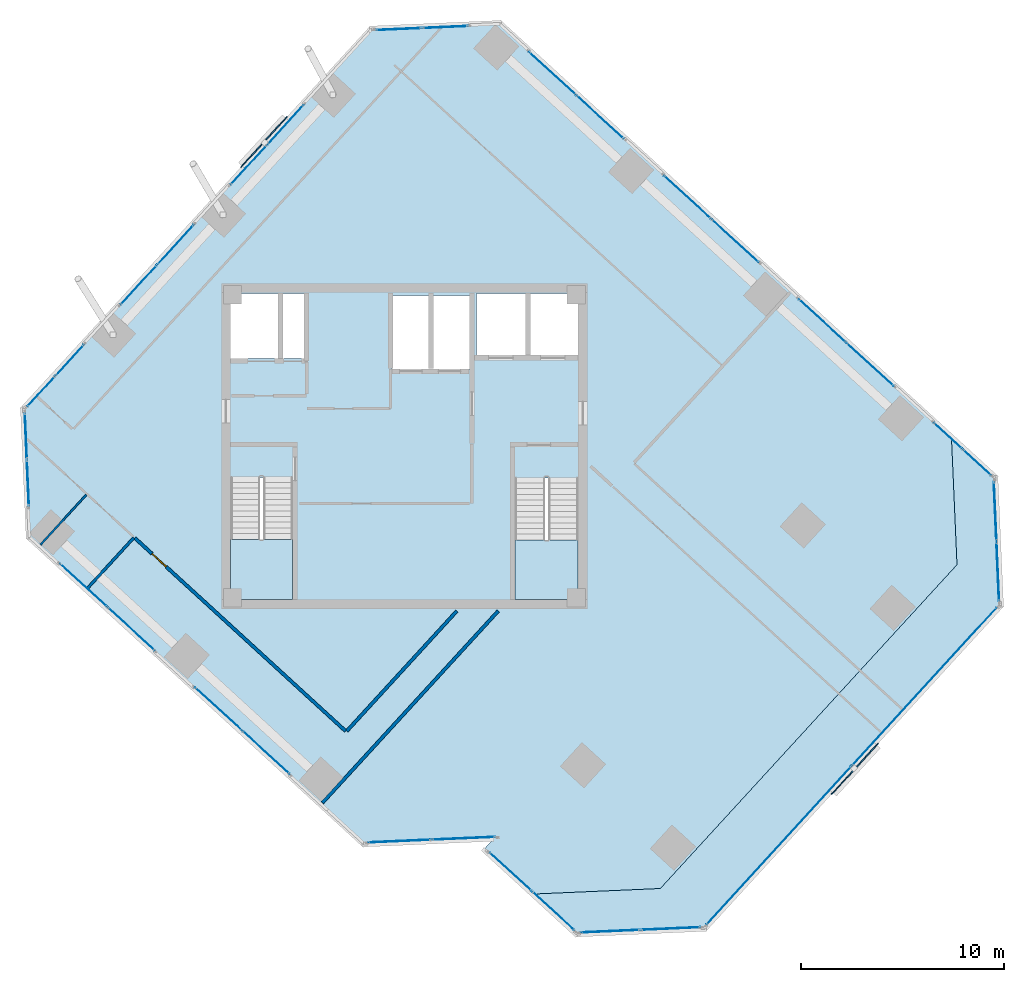
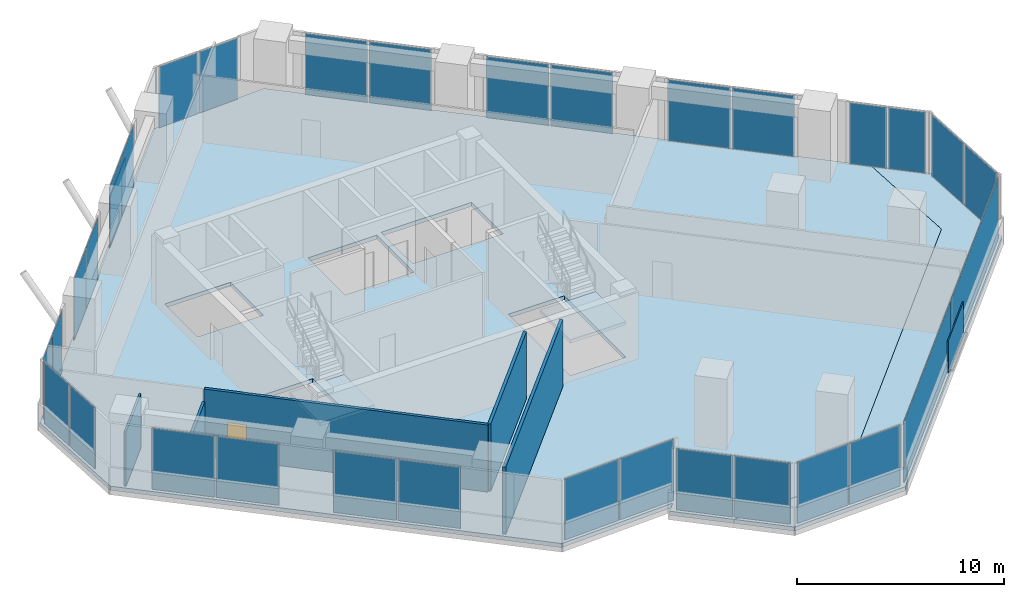
# One storey, part 12 of 18: 34 plates, 5 walls, 4 slabs, 1 door, 1 opening, 18 elements without a shape of their own.
"""IFC4 building model written with IfcOpenShell, lengths in metres."""

import ifcopenshell
import ifcopenshell.guid

model = None  # the IFC model being written
_history = None  # IfcOwnerHistory: only IFC2X3 demands one
_inside = {}  # id of a spatial element -> (the spatial element, [elements in it])
_under = {}  # id of a project, library or spatial element -> (it, [spatial elements below it])
_declared = {}  # id of a project -> (the project, [libraries it declares])
_typed = {}  # id of a type object -> (the type object, [elements of that type])
_made_of = {}  # id of a material, layer set ... -> (it, [elements and type objects made of it])


def new_model(schema):
    """Start an empty IFC model of exactly this schema.

    Asked for "IFC4X3", IfcOpenShell would pick the latest addendum, in which some entities
    have other attributes; the version numbers below select the first issue.
    IFC2X3 requires an IfcOwnerHistory on every rooted entity: one is made here for all.
    """
    global model, _history
    if schema == "IFC4X3":
        model = ifcopenshell.file(schema_version=(4, 3, 0, 0))
    else:
        model = ifcopenshell.file(schema=schema)
    _inside.clear()
    _under.clear()
    _declared.clear()
    _typed.clear()
    _made_of.clear()
    _history = None
    if model.schema == "IFC2X3":
        org = make("IfcOrganization", Name="unknown")
        user = make(
            "IfcPersonAndOrganization",
            ThePerson=make("IfcPerson", FamilyName="unknown"),
            TheOrganization=org,
        )
        app = make(
            "IfcApplication",
            ApplicationDeveloper=org,
            Version="unknown",
            ApplicationFullName="unknown",
            ApplicationIdentifier="unknown",
        )
        _history = make(
            "IfcOwnerHistory",
            OwningUser=user,
            OwningApplication=app,
            ChangeAction="ADDED",
            CreationDate=0,
        )
    return model


def make(cls, **values):
    """One entity of the class cls with the attributes given. An attribute that is None is left unset."""
    return model.create_entity(
        cls, **{name: value for name, value in values.items() if value is not None}
    )


def rooted(cls, **values):
    """An entity with a GlobalId (a new one), such as an element, a storey or a relation."""
    return make(cls, GlobalId=ifcopenshell.guid.new(), OwnerHistory=_history, **values)


def si_unit(unit_type, name, prefix=None):
    """IfcSIUnit, for example si_unit("LENGTHUNIT", "METRE", prefix="MILLI")."""
    return make("IfcSIUnit", UnitType=unit_type, Prefix=prefix, Name=name)


def assignment(units):
    """IfcUnitAssignment: the units of a project."""
    return None if units is None else make("IfcUnitAssignment", Units=units)


def point(xyz):
    """IfcCartesianPoint."""
    return None if xyz is None else make("IfcCartesianPoint", Coordinates=xyz)


def direction(xyz):
    """IfcDirection."""
    return None if xyz is None else make("IfcDirection", DirectionRatios=xyz)


def frame(location, z_axis=None, x_axis=None):
    """IfcAxis2Placement3D, a coordinate frame: its origin and axes. An axis left out is left unset."""
    return make(
        "IfcAxis2Placement3D",
        Location=point(location),
        Axis=direction(z_axis),
        RefDirection=direction(x_axis),
    )


def frame_2d(location, x_axis=None):
    """IfcAxis2Placement2D, a coordinate frame in the plane: its origin and x axis."""
    return make(
        "IfcAxis2Placement2D", Location=point(location), RefDirection=direction(x_axis)
    )


def origin():
    """The frame at (0, 0, 0) with its axes left unset."""
    return frame((0.0, 0.0, 0.0))


def origin_2d():
    """The frame at (0, 0) in the plane with its x axis left unset."""
    return frame_2d((0.0, 0.0))


def place(relative_to, where):
    """IfcLocalPlacement: puts the frame where relative to a parent placement (None: the world)."""
    return make(
        "IfcLocalPlacement", PlacementRelTo=relative_to, RelativePlacement=where
    )


def context(
    kind, dimensions, precision=None, world=None, true_north=None, identifier=None
):
    """IfcGeometricRepresentationContext, for example the 3D "Model" context."""
    return make(
        "IfcGeometricRepresentationContext",
        ContextIdentifier=identifier,
        ContextType=kind,
        CoordinateSpaceDimension=dimensions,
        Precision=precision,
        WorldCoordinateSystem=world,
        TrueNorth=true_north,
    )


def subcontext(parent, identifier, kind, view, scale=None):
    """IfcGeometricRepresentationSubContext, for example "Body" below "Model"."""
    return make(
        "IfcGeometricRepresentationSubContext",
        ContextIdentifier=identifier,
        ContextType=kind,
        ParentContext=parent,
        TargetScale=scale,
        TargetView=view,
    )


def project(units=None, contexts=None):
    """IfcProject with its units and contexts."""
    return rooted(
        "IfcProject",
        Name="project",
        RepresentationContexts=contexts,
        UnitsInContext=assignment(units),
    )


def spatial(cls, under=None, at=None, **own):
    """A site, building, storey or space (cls), placed at a placement, below another one or the project."""
    s = rooted(cls, ObjectPlacement=at, **own)
    if under is not None:
        _under.setdefault(under.id(), (under, []))[1].append(s)
    return s


def polyline(points):
    """IfcPolyline through the points."""
    return make("IfcPolyline", Points=[point(p) for p in points])


def profile(cls, at=None, kind="AREA", **sizes):
    """A parametric profile (cls). Its sizes go by their IFC names, for example OverallWidth=200.0."""
    return make(cls, ProfileType=kind, Position=at, **sizes)


def rectangle(**sizes):
    """IfcRectangleProfileDef."""
    return profile("IfcRectangleProfileDef", **sizes)


def outline(outer, holes=None, kind="AREA"):
    """IfcArbitraryClosedProfileDef: a profile drawn as a closed curve; with holes, ...WithVoids."""
    if holes is None:
        return make("IfcArbitraryClosedProfileDef", ProfileType=kind, OuterCurve=outer)
    return make(
        "IfcArbitraryProfileDefWithVoids",
        ProfileType=kind,
        OuterCurve=outer,
        InnerCurves=holes,
    )


def extrude(swept, where, along, depth):
    """IfcExtrudedAreaSolid: the profile swept, set in the frame where, extruded along a direction by depth."""
    return make(
        "IfcExtrudedAreaSolid",
        SweptArea=swept,
        Position=where,
        ExtrudedDirection=direction(along),
        Depth=depth,
    )


def shape(context_of_items, identifier, shape_type, items):
    """IfcShapeRepresentation: the items that make up one representation, for example the "Body"."""
    return make(
        "IfcShapeRepresentation",
        ContextOfItems=context_of_items,
        RepresentationIdentifier=identifier,
        RepresentationType=shape_type,
        Items=items,
    )


def source(mapping_origin, context_of_items, identifier, shape_type, items):
    """IfcRepresentationMap: a shape defined once, which mapped items show again and again."""
    return make(
        "IfcRepresentationMap",
        MappingOrigin=mapping_origin,
        MappedRepresentation=shape(context_of_items, identifier, shape_type, items),
    )


def transform(
    local_origin,
    x_axis=None,
    y_axis=None,
    z_axis=None,
    scale=None,
    scale2=None,
    scale3=None,
    uniform=True,
):
    """IfcCartesianTransformationOperator3D, or its non-uniform kind. x_axis, y_axis, z_axis: its Axis1, 2, 3."""
    if uniform:
        return make(
            "IfcCartesianTransformationOperator3D",
            Axis1=direction(x_axis),
            Axis2=direction(y_axis),
            LocalOrigin=point(local_origin),
            Scale=scale,
            Axis3=direction(z_axis),
        )
    return make(
        "IfcCartesianTransformationOperator3DnonUniform",
        Axis1=direction(x_axis),
        Axis2=direction(y_axis),
        LocalOrigin=point(local_origin),
        Scale=scale,
        Axis3=direction(z_axis),
        Scale2=scale2,
        Scale3=scale3,
    )


def mapped(mapping_source, mapping_target):
    """IfcMappedItem: shows the shape of a source again, moved by a transform."""
    return make(
        "IfcMappedItem", MappingSource=mapping_source, MappingTarget=mapping_target
    )


def material(Name=None, Category=None):
    """IfcMaterial."""
    return make("IfcMaterial", Name=Name, Category=Category)


def layer(
    of_material, thickness, ventilated=None, Name=None, Category=None, Priority=None
):
    """IfcMaterialLayer: one layer of a wall or slab, of a material (None: an air gap)."""
    return make(
        "IfcMaterialLayer",
        Material=of_material,
        LayerThickness=thickness,
        IsVentilated=ventilated,
        Name=Name,
        Category=Category,
        Priority=Priority,
    )


def layer_set(layers, Name=None):
    """IfcMaterialLayerSet."""
    return make("IfcMaterialLayerSet", MaterialLayers=layers, LayerSetName=Name)


def made_of(thing, what):
    """Note that an element or type object is made of a material, layer set ...; save() writes the relation."""
    if what is not None:
        _made_of.setdefault(what.id(), (what, []))[1].append(thing)
    return thing


def type_object(cls, material=None, **own):
    """A type object (cls), such as IfcWallType, which elements share."""
    return made_of(rooted(cls, **own), material)


def element(
    cls,
    number,
    at=None,
    inside=None,
    cuts=None,
    type_object=None,
    material=None,
    context=None,
    identifier="Body",
    shape_type=None,
    held_by="IfcProductDefinitionShape",
    body=None,
    shapes=None,
    **own,
):
    """One element of the class cls, such as IfcWall. Its Tag is "e" and its number.

    at: its placement. inside: the storey or other place that contains it. cuts: it is an
    opening in that element (IfcRelVoidsElement). A single representation is given by context,
    identifier, shape_type and body (its items); several are given by shapes. held_by: the class
    of the entity that holds the representations. save() writes the other relations.
    """
    e = rooted(cls, Tag="e%d" % number, ObjectPlacement=at, **own)
    if body is not None:
        shapes = [shape(context, identifier, shape_type, body)]
    if shapes is not None:
        e.Representation = make(held_by, Representations=shapes)
    if inside is not None:
        _inside.setdefault(inside.id(), (inside, []))[1].append(e)
    if cuts is not None:
        rooted(
            "IfcRelVoidsElement", RelatingBuildingElement=cuts, RelatedOpeningElement=e
        )
    if type_object is not None:
        _typed.setdefault(type_object.id(), (type_object, []))[1].append(e)
    return made_of(e, material)


def fill(opening, filler):
    """IfcRelFillsElement: the door or window that sits in an opening."""
    return rooted(
        "IfcRelFillsElement",
        RelatingOpeningElement=opening,
        RelatedBuildingElement=filler,
    )


def aggregate(whole, parts):
    """IfcRelAggregates: a whole, such as a stair, and the parts it consists of."""
    return rooted("IfcRelAggregates", RelatingObject=whole, RelatedObjects=parts)


def save(model, path):
    """Write the relations noted so far, then the file.

    IfcRelAggregates (storeys below a building ...), IfcRelContainedInSpatialStructure (elements
    in a storey), IfcRelDefinesByType, IfcRelAssociatesMaterial and IfcRelDeclares: one each for
    every whole, place, type object, material and project.
    """
    for whole, parts in _under.values():
        aggregate(whole, parts)
    for where, things in _inside.values():
        rooted(
            "IfcRelContainedInSpatialStructure",
            RelatedElements=things,
            RelatingStructure=where,
        )
    for kind, things in _typed.values():
        rooted("IfcRelDefinesByType", RelatedObjects=things, RelatingType=kind)
    for what, things in _made_of.values():
        rooted("IfcRelAssociatesMaterial", RelatedObjects=things, RelatingMaterial=what)
    for by, libraries in _declared.values():
        rooted("IfcRelDeclares", RelatingContext=by, RelatedDefinitions=libraries)
    model.write(path)


model = new_model("IFC4")

# Units and contexts
model_context = context("Model", 3, precision=1e-05, world=origin(), true_north=direction((0.0, 1.0)))
body_context = subcontext(model_context, "Body", "Model", "MODEL_VIEW")
ifc_project = project(units=[si_unit("LENGTHUNIT", "METRE"), si_unit("AREAUNIT", "SQUARE_METRE"), si_unit("VOLUMEUNIT", "CUBIC_METRE"), si_unit("PLANEANGLEUNIT", "RADIAN"), si_unit("MASSUNIT", "GRAM", prefix="KILO")], contexts=[model_context])

# Site, building, storey
site_placement = place(None, origin())
site = spatial("IfcSite", under=ifc_project, at=site_placement, CompositionType="ELEMENT")
building_placement = place(site_placement, origin())
building = spatial("IfcBuilding", under=site, at=building_placement, Name="Torre Montelarca", CompositionType="ELEMENT")
storey_placement = place(building_placement, frame((0.0, 0.0, 237.39990234375)))
storey = spatial("IfcBuildingStorey", under=building, at=storey_placement, Name="L53", CompositionType="ELEMENT", Elevation=237.39990234375)

# Slabs
ifc_material_1 = material(Name="Concrete C40/50", Category="concrete")
ifc_layer_1 = layer(ifc_material_1, 0.239990234375, Name="Concrete C40/50", Category="concrete")
ifc_layer_set_1 = layer_set([ifc_layer_1], Name="Concrete C40/50")
slab_type_1 = type_object("IfcSlabType", Name="SL-FLR-240", PredefinedType="FLOOR", material=ifc_layer_set_1)
slab_1_placement = place(storey_placement, frame((0.0, 0.0, -0.239990234375)))
element("IfcSlab", 1, at=slab_1_placement, inside=storey, type_object=slab_type_1, Name="L53 Structural Floor Slab", PredefinedType="FLOOR", context=body_context, shape_type="SweptSolid", body=[
    extrude(outline(polyline([(15.9873046875, 12.3662109375), (22.34521484375, 12.643798828125), (21.872314453125, 12.127685546875), (24.2314453125, 9.9658203125), (30.58935546875, 10.243408203125), (45.18212890625, 26.16845703125), (44.904541015625, 32.5263671875), (22.71240234375, 52.86181640625), (16.3544921875, 52.583984375), (-0.805419921875, 33.857177734375), (-0.52783203125, 27.499267578125), (15.9873046875, 12.3662109375)]), holes=[polyline([(26.550048828125, 24.449951171875), (23.43994140625, 24.449951171875), (23.43994140625, 30.429931640625), (26.550048828125, 30.429931640625), (26.550048828125, 24.449951171875)]), polyline([(12.5, 24.449951171875), (9.449951171875, 24.449951171875), (9.449951171875, 30.4599609375), (12.5, 30.4599609375), (12.5, 24.449951171875)]), polyline([(21.25, 39.39990234375), (21.25, 35.800048828125), (17.39990234375, 35.800048828125), (17.39990234375, 39.39990234375), (21.25, 39.39990234375)]), polyline([(13.1201171875, 36.300048828125), (9.449951171875, 36.300048828125), (9.449951171875, 39.5), (13.1201171875, 39.5), (13.1201171875, 36.300048828125)]), polyline([(26.60009765625, 36.449951171875), (21.550048828125, 36.449951171875), (21.550048828125, 39.5), (26.60009765625, 39.5), (26.60009765625, 36.449951171875)])]), origin(), (0.0, 0.0, 1.0), 0.239990234375),
])
slab_2_placement = place(storey_placement, frame((0.0, 0.0, -0.239990234375)))
element("IfcSlab", 2, at=slab_2_placement, inside=storey, type_object=slab_type_1, Name="L53 Sliding Tray Winter Garden Floor Slab E1", PredefinedType="FLOOR", context=body_context, shape_type="SweptSolid", body=[
    extrude(outline(polyline([(44.904541015625, 32.5263671875), (45.18212890625, 26.16845703125), (30.58935546875, 10.243408203125), (24.2314453125, 9.9658203125), (26.443359375, 7.93896484375), (32.80126953125, 8.216552734375), (47.39404296875, 24.1416015625), (47.116455078125, 30.49951171875), (44.904541015625, 32.5263671875)])), origin(), (0.0, 0.0, 1.0), 0.239990234375),
])

# Stair, slab
stair_type_1 = type_object("IfcStairType", Name="ST-CORE-ST1", PredefinedType="HALF_TURN_STAIR", material=ifc_material_1)
stair_1_placement = place(storey_placement, origin())
stair_1 = element("IfcStair", 3, at=stair_1_placement, inside=storey, type_object=stair_type_1, Name="L53 Protected Exit Stair ST1", PredefinedType="HALF_TURN_STAIR")
ifc_layer_2 = layer(ifc_material_1, 0.199951171875, Name="Concrete C40/50", Category="concrete")
ifc_layer_set_2 = layer_set([ifc_layer_2], Name="Concrete C40/50")
slab_type_2 = type_object("IfcSlabType", Name="SL-ST-LAND-ST1", PredefinedType="LANDING", material=ifc_layer_set_2)
slab_3_placement = place(storey_placement, frame((0.0, 0.0, 1.900146484375)))
slab_3 = element("IfcSlab", 4, at=slab_3_placement, type_object=slab_type_2, Name="ST1 landing 1", PredefinedType="LANDING", context=body_context, shape_type="SweptSolid", body=[
    extrude(outline(polyline([(9.449951171875, 27.419921875), (9.449951171875, 24.449951171875), (12.5, 24.449951171875), (12.5, 27.419921875), (9.449951171875, 27.419921875)])), origin(), (0.0, 0.0, 1.0), 0.199951171875),
])
aggregate(stair_1, [slab_3])

stair_type_2 = type_object("IfcStairType", Name="ST-CORE-ST2", PredefinedType="HALF_TURN_STAIR", material=ifc_material_1)
stair_2_placement = place(storey_placement, origin())
stair_2 = element("IfcStair", 5, at=stair_2_placement, inside=storey, type_object=stair_type_2, Name="L53 Protected Exit Stair ST2", PredefinedType="HALF_TURN_STAIR")
ifc_layer_3 = layer(ifc_material_1, 0.199951171875, Name="Concrete C40/50", Category="concrete")
ifc_layer_set_3 = layer_set([ifc_layer_3], Name="Concrete C40/50")
slab_type_3 = type_object("IfcSlabType", Name="SL-ST-LAND-ST2", PredefinedType="LANDING", material=ifc_layer_set_3)
slab_4_placement = place(storey_placement, frame((0.0, 0.0, 1.900146484375)))
slab_4 = element("IfcSlab", 6, at=slab_4_placement, type_object=slab_type_3, Name="ST2 landing 1", PredefinedType="LANDING", context=body_context, shape_type="SweptSolid", body=[
    extrude(outline(polyline([(23.43994140625, 27.389892578125), (23.43994140625, 24.449951171875), (26.550048828125, 24.449951171875), (26.550048828125, 27.389892578125), (23.43994140625, 27.389892578125)])), origin(), (0.0, 0.0, 1.0), 0.199951171875),
])
aggregate(stair_2, [slab_4])

# Plates
ifc_material_2 = material(Name="Architectural perforated terracotta ceramic", Category="masonry")
ifc_layer_4 = layer(ifc_material_2, 0.074951171875, Name="Architectural perforated terracotta ceramic", Category="masonry")
ifc_layer_set_4 = layer_set([ifc_layer_4], Name="Architectural perforated terracotta ceramic")
plate_type_1 = type_object("IfcPlateType", Name="SCR-CER-75", PredefinedType="USERDEFINED", material=ifc_layer_set_4)
shared_shape_1 = source(origin(), body_context, "Body", "SweptSolid", [
    extrude(rectangle(XDim=3.39990234375, YDim=0.06005859375, at=origin_2d()), origin(), (0.0, 0.0, 1.0), 1.89990234375),
])
for number, where, z_axis, x_axis, name in (
    (7, (40.156494140625, 16.125, 0.500244140625), (0.0, 0.0, 1.0), (0.675594067982, 0.737273799418, 0.0), "L53 Perforated Ceramic Brise-Soleil Screen E6-1"),
    (8, (11.093505859375, 46.961181640625, 0.500244140625), (0.0, 0.0, 1.0), (-0.675588920823, -0.737278515936, 0.0), "L53 Perforated Ceramic Brise-Soleil Screen E10-1"),
):
    element("IfcPlate", number, at=place(storey_placement, frame(where, z_axis=z_axis, x_axis=x_axis)), inside=storey, type_object=plate_type_1, Name=name, ObjectType="SOLAR SCREEN", PredefinedType="USERDEFINED", context=body_context, shape_type="MappedRepresentation", body=[
        mapped(shared_shape_1, transform((0.0, 0.0, 0.0), scale=1.0)),
    ])

# Curtain wall, plates
ifc_material_3 = material(Name="Insulated low-E laminated glass", Category="glass")
curtain_wall_type = type_object("IfcCurtainWallType", Name="CW-SYS-Z3", PredefinedType="USERDEFINED", material=ifc_material_3)
curtain_wall_1_placement = place(storey_placement, origin())
curtain_wall_1 = element("IfcCurtainWall", 9, at=curtain_wall_1_placement, inside=storey, type_object=curtain_wall_type, Name="L53 Curtain Wall Run CW-T3-L53-E02-B1", ObjectType="UNITISED GLAZING", PredefinedType="USERDEFINED")
ifc_layer_5 = layer(ifc_material_3, 0.031982421875, Name="Insulated low-E laminated glass", Category="glass")
ifc_layer_set_5 = layer_set([ifc_layer_5], Name="Insulated low-E laminated glass")
plate_type_2 = type_object("IfcPlateType", Name="CWP-GLZ-32", PredefinedType="CURTAIN_PANEL", material=ifc_layer_set_5)
shared_shape_2 = source(origin(), body_context, "Body", "SweptSolid", [
    extrude(rectangle(XDim=3.08740234375, YDim=0.031982421875, at=origin_2d()), origin(), (0.0, 0.0, 1.0), 3.610107421875),
])
plate_1_placement = place(storey_placement, frame((17.764404296875, 12.57373046875, 0.05517578125), z_axis=(0.0, 0.0, 1.0), x_axis=(0.999047974417, 0.043625048009, 0.0)))
plate_1 = element("IfcPlate", 10, at=plate_1_placement, type_object=plate_type_2, Name="CW panel 1.1", PredefinedType="CURTAIN_PANEL", context=body_context, shape_type="MappedRepresentation", body=[
    mapped(shared_shape_2, transform((0.0, 0.0, 0.0), scale=1.0)),
])
plate_2_placement = place(storey_placement, frame((20.923828125, 12.711669921875, 0.05517578125), z_axis=(0.0, 0.0, 1.0), x_axis=(0.999047974417, 0.043625048009, 0.0)))
plate_2 = element("IfcPlate", 11, at=plate_2_placement, type_object=plate_type_2, Name="CW panel 2.1", PredefinedType="CURTAIN_PANEL", context=body_context, shape_type="MappedRepresentation", body=[
    mapped(shared_shape_2, transform((0.0, 0.0, 0.0), scale=1.0)),
])
aggregate(curtain_wall_1, [plate_1, plate_2])

curtain_wall_2_placement = place(storey_placement, origin())
curtain_wall_2 = element("IfcCurtainWall", 12, at=curtain_wall_2_placement, inside=storey, type_object=curtain_wall_type, Name="L53 Curtain Wall Run CW-T3-L53-E05-B1", ObjectType="UNITISED GLAZING", PredefinedType="USERDEFINED")
shared_shape_3 = source(origin(), body_context, "Body", "SweptSolid", [
    extrude(rectangle(XDim=2.903564453125, YDim=0.031982421875, at=origin_2d()), origin(), (0.0, 0.0, 1.0), 3.610107421875),
])
plate_3_placement = place(storey_placement, frame((28.128662109375, 8.142578125, 0.05517578125), z_axis=(0.0, 0.0, 1.0), x_axis=(0.999048385364, 0.043615635968, 0.0)))
plate_3 = element("IfcPlate", 13, at=plate_3_placement, type_object=plate_type_2, Name="CW panel 1.1", PredefinedType="CURTAIN_PANEL", context=body_context, shape_type="MappedRepresentation", body=[
    mapped(shared_shape_3, transform((0.0, 0.0, 0.0), scale=1.0)),
])
plate_4_placement = place(storey_placement, frame((31.1044921875, 8.272705078125, 0.05517578125), z_axis=(0.0, 0.0, 1.0), x_axis=(0.999048385364, 0.043615635968, 0.0)))
plate_4 = element("IfcPlate", 14, at=plate_4_placement, type_object=plate_type_2, Name="CW panel 2.1", PredefinedType="CURTAIN_PANEL", context=body_context, shape_type="MappedRepresentation", body=[
    mapped(shared_shape_3, transform((0.0, 0.0, 0.0), scale=1.0)),
])
aggregate(curtain_wall_2, [plate_3, plate_4])

curtain_wall_3_placement = place(storey_placement, origin())
curtain_wall_3 = element("IfcCurtainWall", 15, at=curtain_wall_3_placement, inside=storey, type_object=curtain_wall_type, Name="L53 Curtain Wall Run CW-T3-L53-E07-B1", ObjectType="UNITISED GLAZING", PredefinedType="USERDEFINED")
plate_5_placement = place(storey_placement, frame((47.190185546875, 25.8271484375, 0.05517578125), z_axis=(0.0, 0.0, 1.0), x_axis=(-0.043615635968, 0.999048385364, 0.0)))
plate_5 = element("IfcPlate", 16, at=plate_5_placement, type_object=plate_type_2, Name="CW panel 1.1", PredefinedType="CURTAIN_PANEL", context=body_context, shape_type="MappedRepresentation", body=[
    mapped(shared_shape_3, transform((0.0, 0.0, 0.0), scale=1.0)),
])
plate_6_placement = place(storey_placement, frame((47.060302734375, 28.802734375, 0.05517578125), z_axis=(0.0, 0.0, 1.0), x_axis=(-0.043615635968, 0.999048385364, 0.0)))
plate_6 = element("IfcPlate", 17, at=plate_6_placement, type_object=plate_type_2, Name="CW panel 2.1", PredefinedType="CURTAIN_PANEL", context=body_context, shape_type="MappedRepresentation", body=[
    mapped(shared_shape_3, transform((0.0, 0.0, 0.0), scale=1.0)),
])
aggregate(curtain_wall_3, [plate_5, plate_6])

curtain_wall_4_placement = place(storey_placement, origin())
curtain_wall_4 = element("IfcCurtainWall", 18, at=curtain_wall_4_placement, inside=storey, type_object=curtain_wall_type, Name="L53 Curtain Wall Run CW-T3-L53-E01-B1", ObjectType="UNITISED GLAZING", PredefinedType="USERDEFINED")
shared_shape_4 = source(origin(), body_context, "Body", "SweptSolid", [
    extrude(rectangle(XDim=3.107421875, YDim=0.031982421875, at=origin_2d()), origin(), (0.0, 0.0, 1.0), 3.610107421875),
])
plate_7_placement = place(storey_placement, frame((2.220703125, 25.1572265625, 0.05517578125), z_axis=(0.0, 0.0, 1.0), x_axis=(0.737279815472, -0.675587502621, 0.0)))
plate_7 = element("IfcPlate", 19, at=plate_7_placement, type_object=plate_type_2, Name="CW panel 1.1", PredefinedType="CURTAIN_PANEL", context=body_context, shape_type="MappedRepresentation", body=[
    mapped(shared_shape_4, transform((0.0, 0.0, 0.0), scale=1.0)),
])
plate_8_placement = place(storey_placement, frame((4.567138671875, 23.007080078125, 0.05517578125), z_axis=(0.0, 0.0, 1.0), x_axis=(0.737279815472, -0.675587502621, 0.0)))
plate_8 = element("IfcPlate", 20, at=plate_8_placement, type_object=plate_type_2, Name="CW panel 2.1", PredefinedType="CURTAIN_PANEL", context=body_context, shape_type="MappedRepresentation", body=[
    mapped(shared_shape_4, transform((0.0, 0.0, 0.0), scale=1.0)),
])
aggregate(curtain_wall_4, [plate_7, plate_8])

curtain_wall_5_placement = place(storey_placement, origin())
curtain_wall_5 = element("IfcCurtainWall", 21, at=curtain_wall_5_placement, inside=storey, type_object=curtain_wall_type, Name="L53 Curtain Wall Run CW-T3-L53-E01-B2", ObjectType="UNITISED GLAZING", PredefinedType="USERDEFINED")
plate_9_placement = place(storey_placement, frame((8.856201171875, 19.076904296875, 0.05517578125), z_axis=(0.0, 0.0, 1.0), x_axis=(0.737279815472, -0.675587502621, 0.0)))
plate_9 = element("IfcPlate", 22, at=plate_9_placement, type_object=plate_type_2, Name="CW panel 1.1", PredefinedType="CURTAIN_PANEL", context=body_context, shape_type="MappedRepresentation", body=[
    mapped(shared_shape_4, transform((0.0, 0.0, 0.0), scale=1.0)),
])
plate_10_placement = place(storey_placement, frame((11.20263671875, 16.9267578125, 0.05517578125), z_axis=(0.0, 0.0, 1.0), x_axis=(0.737279815472, -0.675587502621, 0.0)))
plate_10 = element("IfcPlate", 23, at=plate_10_placement, type_object=plate_type_2, Name="CW panel 2.1", PredefinedType="CURTAIN_PANEL", context=body_context, shape_type="MappedRepresentation", body=[
    mapped(shared_shape_4, transform((0.0, 0.0, 0.0), scale=1.0)),
])
aggregate(curtain_wall_5, [plate_9, plate_10])

curtain_wall_6_placement = place(storey_placement, origin())
curtain_wall_6 = element("IfcCurtainWall", 24, at=curtain_wall_6_placement, inside=storey, type_object=curtain_wall_type, Name="L53 Curtain Wall Run CW-T3-L53-E08-B2", ObjectType="UNITISED GLAZING", PredefinedType="USERDEFINED")
plate_11_placement = place(storey_placement, frame((40.902587890625, 36.01708984375, 0.05517578125), z_axis=(0.0, 0.0, 1.0), x_axis=(-0.737272728138, 0.675595237064, 0.0)))
plate_11 = element("IfcPlate", 25, at=plate_11_placement, type_object=plate_type_2, Name="CW panel 1.1", PredefinedType="CURTAIN_PANEL", context=body_context, shape_type="MappedRepresentation", body=[
    mapped(shared_shape_4, transform((0.0, 0.0, 0.0), scale=1.0)),
])
plate_12_placement = place(storey_placement, frame((38.556396484375, 38.167236328125, 0.05517578125), z_axis=(0.0, 0.0, 1.0), x_axis=(-0.737272728138, 0.675595237064, 0.0)))
plate_12 = element("IfcPlate", 26, at=plate_12_placement, type_object=plate_type_2, Name="CW panel 2.1", PredefinedType="CURTAIN_PANEL", context=body_context, shape_type="MappedRepresentation", body=[
    mapped(shared_shape_4, transform((0.0, 0.0, 0.0), scale=1.0)),
])
aggregate(curtain_wall_6, [plate_11, plate_12])

curtain_wall_7_placement = place(storey_placement, origin())
curtain_wall_7 = element("IfcCurtainWall", 27, at=curtain_wall_7_placement, inside=storey, type_object=curtain_wall_type, Name="L53 Curtain Wall Run CW-T3-L53-E08-B3", ObjectType="UNITISED GLAZING", PredefinedType="USERDEFINED")
plate_13_placement = place(storey_placement, frame((34.26708984375, 42.097412109375, 0.05517578125), z_axis=(0.0, 0.0, 1.0), x_axis=(-0.737272728138, 0.675595237064, 0.0)))
plate_13 = element("IfcPlate", 28, at=plate_13_placement, type_object=plate_type_2, Name="CW panel 1.1", PredefinedType="CURTAIN_PANEL", context=body_context, shape_type="MappedRepresentation", body=[
    mapped(shared_shape_4, transform((0.0, 0.0, 0.0), scale=1.0)),
])
plate_14_placement = place(storey_placement, frame((31.9208984375, 44.24755859375, 0.05517578125), z_axis=(0.0, 0.0, 1.0), x_axis=(-0.737272728138, 0.675595237064, 0.0)))
plate_14 = element("IfcPlate", 29, at=plate_14_placement, type_object=plate_type_2, Name="CW panel 2.1", PredefinedType="CURTAIN_PANEL", context=body_context, shape_type="MappedRepresentation", body=[
    mapped(shared_shape_4, transform((0.0, 0.0, 0.0), scale=1.0)),
])
aggregate(curtain_wall_7, [plate_13, plate_14])

curtain_wall_8_placement = place(storey_placement, origin())
curtain_wall_8 = element("IfcCurtainWall", 30, at=curtain_wall_8_placement, inside=storey, type_object=curtain_wall_type, Name="L53 Curtain Wall Run CW-T3-L53-E08-B4", ObjectType="UNITISED GLAZING", PredefinedType="USERDEFINED")
plate_15_placement = place(storey_placement, frame((27.6318359375, 48.177734375, 0.05517578125), z_axis=(0.0, 0.0, 1.0), x_axis=(-0.737279815472, 0.675587502621, 0.0)))
plate_15 = element("IfcPlate", 31, at=plate_15_placement, type_object=plate_type_2, Name="CW panel 1.1", PredefinedType="CURTAIN_PANEL", context=body_context, shape_type="MappedRepresentation", body=[
    mapped(shared_shape_4, transform((0.0, 0.0, 0.0), scale=1.0)),
])
plate_16_placement = place(storey_placement, frame((25.285400390625, 50.327880859375, 0.05517578125), z_axis=(0.0, 0.0, 1.0), x_axis=(-0.737279815472, 0.675587502621, 0.0)))
plate_16 = element("IfcPlate", 32, at=plate_16_placement, type_object=plate_type_2, Name="CW panel 2.1", PredefinedType="CURTAIN_PANEL", context=body_context, shape_type="MappedRepresentation", body=[
    mapped(shared_shape_4, transform((0.0, 0.0, 0.0), scale=1.0)),
])
aggregate(curtain_wall_8, [plate_15, plate_16])

curtain_wall_9_placement = place(storey_placement, origin())
curtain_wall_9 = element("IfcCurtainWall", 33, at=curtain_wall_9_placement, inside=storey, type_object=curtain_wall_type, Name="L53 Curtain Wall Run CW-T3-L53-E04-B1", ObjectType="UNITISED GLAZING", PredefinedType="USERDEFINED")
shared_shape_5 = source(origin(), body_context, "Body", "SweptSolid", [
    extrude(rectangle(XDim=2.783447265625, YDim=0.031982421875, at=origin_2d()), origin(), (0.0, 0.0, 1.0), 3.610107421875),
])
plate_17_placement = place(storey_placement, frame((23.219970703125, 11.069091796875, 0.05517578125), z_axis=(0.0, 0.0, 1.0), x_axis=(0.737293871704, -0.675572162502, 0.0)))
plate_17 = element("IfcPlate", 34, at=plate_17_placement, type_object=plate_type_2, Name="CW panel 1.1", PredefinedType="CURTAIN_PANEL", context=body_context, shape_type="MappedRepresentation", body=[
    mapped(shared_shape_5, transform((0.0, 0.0, 0.0), scale=1.0)),
])
plate_18_placement = place(storey_placement, frame((25.327392578125, 9.1376953125, 0.05517578125), z_axis=(0.0, 0.0, 1.0), x_axis=(0.737293871704, -0.675572162502, 0.0)))
plate_18 = element("IfcPlate", 35, at=plate_18_placement, type_object=plate_type_2, Name="CW panel 2.1", PredefinedType="CURTAIN_PANEL", context=body_context, shape_type="MappedRepresentation", body=[
    mapped(shared_shape_5, transform((0.0, 0.0, 0.0), scale=1.0)),
])
aggregate(curtain_wall_9, [plate_17, plate_18])

curtain_wall_10_placement = place(storey_placement, origin())
curtain_wall_10 = element("IfcCurtainWall", 36, at=curtain_wall_10_placement, inside=storey, type_object=curtain_wall_type, Name="L53 Curtain Wall Run CW-T3-L53-E06-B1", ObjectType="UNITISED GLAZING", PredefinedType="USERDEFINED")
shared_shape_6 = source(origin(), body_context, "Body", "SweptSolid", [
    extrude(rectangle(XDim=10.521728515625, YDim=0.031982421875, at=origin_2d()), origin(), (0.0, 0.0, 1.0), 3.610107421875),
])
plate_19_placement = place(storey_placement, frame((36.42236328125, 12.360595703125, 0.05517578125), z_axis=(0.0, 0.0, 1.0), x_axis=(0.675589843659, 0.737277670314, 0.0)))
plate_19 = element("IfcPlate", 37, at=plate_19_placement, type_object=plate_type_2, Name="CW panel 1.1", PredefinedType="CURTAIN_PANEL", context=body_context, shape_type="MappedRepresentation", body=[
    mapped(shared_shape_6, transform((0.0, 0.0, 0.0), scale=1.0)),
])
plate_20_placement = place(storey_placement, frame((43.581298828125, 20.17333984375, 0.05517578125), z_axis=(0.0, 0.0, 1.0), x_axis=(0.675589843659, 0.737277670314, 0.0)))
plate_20 = element("IfcPlate", 38, at=plate_20_placement, type_object=plate_type_2, Name="CW panel 2.1", PredefinedType="CURTAIN_PANEL", context=body_context, shape_type="MappedRepresentation", body=[
    mapped(shared_shape_6, transform((0.0, 0.0, 0.0), scale=1.0)),
])
aggregate(curtain_wall_10, [plate_19, plate_20])

curtain_wall_11_placement = place(storey_placement, origin())
curtain_wall_11 = element("IfcCurtainWall", 39, at=curtain_wall_11_placement, inside=storey, type_object=curtain_wall_type, Name="L53 Curtain Wall Run CW-T3-L53-E08-B1", ObjectType="UNITISED GLAZING", PredefinedType="USERDEFINED")
shared_shape_7 = source(origin(), body_context, "Body", "SweptSolid", [
    extrude(rectangle(XDim=1.864501953125, YDim=0.031982421875, at=origin_2d()), origin(), (0.0, 0.0, 1.0), 3.610107421875),
])
plate_21_placement = place(storey_placement, frame((46.163818359375, 31.1962890625, 0.05517578125), z_axis=(0.0, 0.0, 1.0), x_axis=(-0.73728639427, 0.675580323, 0.0)))
plate_21 = element("IfcPlate", 40, at=plate_21_placement, type_object=plate_type_2, Name="CW panel 1.1", PredefinedType="CURTAIN_PANEL", context=body_context, shape_type="MappedRepresentation", body=[
    mapped(shared_shape_7, transform((0.0, 0.0, 0.0), scale=1.0)),
])
plate_22_placement = place(storey_placement, frame((44.733642578125, 32.506591796875, 0.05517578125), z_axis=(0.0, 0.0, 1.0), x_axis=(-0.73728639427, 0.675580323, 0.0)))
plate_22 = element("IfcPlate", 41, at=plate_22_placement, type_object=plate_type_2, Name="CW panel 2.1", PredefinedType="CURTAIN_PANEL", context=body_context, shape_type="MappedRepresentation", body=[
    mapped(shared_shape_7, transform((0.0, 0.0, 0.0), scale=1.0)),
])
aggregate(curtain_wall_11, [plate_21, plate_22])

curtain_wall_12_placement = place(storey_placement, origin())
curtain_wall_12 = element("IfcCurtainWall", 42, at=curtain_wall_12_placement, inside=storey, type_object=curtain_wall_type, Name="L53 Curtain Wall Run CW-T3-L53-E09-B1", ObjectType="UNITISED GLAZING", PredefinedType="USERDEFINED")
shared_shape_8 = source(origin(), body_context, "Body", "SweptSolid", [
    extrude(rectangle(XDim=2.22265625, YDim=0.031982421875, at=origin_2d()), origin(), (0.0, 0.0, 1.0), 3.610107421875),
])
plate_23_placement = place(storey_placement, frame((20.0068359375, 52.613525390625, 0.05517578125), z_axis=(0.0, 0.0, 1.0), x_axis=(-0.999048467195, -0.043613761542, 0.0)))
plate_23 = element("IfcPlate", 43, at=plate_23_placement, type_object=plate_type_2, Name="CW panel 1.1", PredefinedType="CURTAIN_PANEL", context=body_context, shape_type="MappedRepresentation", body=[
    mapped(shared_shape_8, transform((0.0, 0.0, 0.0), scale=1.0)),
])
plate_24_placement = place(storey_placement, frame((17.711181640625, 52.51318359375, 0.05517578125), z_axis=(0.0, 0.0, 1.0), x_axis=(-0.999048467195, -0.043613761542, 0.0)))
plate_24 = element("IfcPlate", 44, at=plate_24_placement, type_object=plate_type_2, Name="CW panel 2.1", PredefinedType="CURTAIN_PANEL", context=body_context, shape_type="MappedRepresentation", body=[
    mapped(shared_shape_8, transform((0.0, 0.0, 0.0), scale=1.0)),
])
aggregate(curtain_wall_12, [plate_23, plate_24])

curtain_wall_13_placement = place(storey_placement, origin())
curtain_wall_13 = element("IfcCurtainWall", 45, at=curtain_wall_13_placement, inside=storey, type_object=curtain_wall_type, Name="L53 Curtain Wall Run CW-T3-L53-E10-B1", ObjectType="UNITISED GLAZING", PredefinedType="USERDEFINED")
shared_shape_9 = source(origin(), body_context, "Body", "SweptSolid", [
    extrude(rectangle(XDim=2.607421875, YDim=0.031982421875, at=origin_2d()), origin(), (0.0, 0.0, 1.0), 3.610107421875),
])
plate_25_placement = place(storey_placement, frame((12.154541015625, 47.80810546875, 0.05517578125), z_axis=(0.0, 0.0, 1.0), x_axis=(-0.675597258238, -0.737270876043, 0.0)))
plate_25 = element("IfcPlate", 46, at=plate_25_placement, type_object=plate_type_2, Name="CW panel 1.1", PredefinedType="CURTAIN_PANEL", context=body_context, shape_type="MappedRepresentation", body=[
    mapped(shared_shape_9, transform((0.0, 0.0, 0.0), scale=1.0)),
])
plate_26_placement = place(storey_placement, frame((10.34228515625, 45.830322265625, 0.05517578125), z_axis=(0.0, 0.0, 1.0), x_axis=(-0.675597258238, -0.737270876043, 0.0)))
plate_26 = element("IfcPlate", 47, at=plate_26_placement, type_object=plate_type_2, Name="CW panel 2.1", PredefinedType="CURTAIN_PANEL", context=body_context, shape_type="MappedRepresentation", body=[
    mapped(shared_shape_9, transform((0.0, 0.0, 0.0), scale=1.0)),
])
aggregate(curtain_wall_13, [plate_25, plate_26])

curtain_wall_14_placement = place(storey_placement, origin())
curtain_wall_14 = element("IfcCurtainWall", 48, at=curtain_wall_14_placement, inside=storey, type_object=curtain_wall_type, Name="L53 Curtain Wall Run CW-T3-L53-E10-B2", ObjectType="UNITISED GLAZING", PredefinedType="USERDEFINED")
plate_27_placement = place(storey_placement, frame((6.749755859375, 41.909912109375, 0.05517578125), z_axis=(0.0, 0.0, 1.0), x_axis=(-0.675588101971, -0.737279266272, 0.0)))
plate_27 = element("IfcPlate", 49, at=plate_27_placement, type_object=plate_type_2, Name="CW panel 1.1", PredefinedType="CURTAIN_PANEL", context=body_context, shape_type="MappedRepresentation", body=[
    mapped(shared_shape_9, transform((0.0, 0.0, 0.0), scale=1.0)),
])
plate_28_placement = place(storey_placement, frame((4.9375, 39.93212890625, 0.05517578125), z_axis=(0.0, 0.0, 1.0), x_axis=(-0.675588101971, -0.737279266272, 0.0)))
plate_28 = element("IfcPlate", 50, at=plate_28_placement, type_object=plate_type_2, Name="CW panel 2.1", PredefinedType="CURTAIN_PANEL", context=body_context, shape_type="MappedRepresentation", body=[
    mapped(shared_shape_9, transform((0.0, 0.0, 0.0), scale=1.0)),
])
aggregate(curtain_wall_14, [plate_27, plate_28])

curtain_wall_15_placement = place(storey_placement, origin())
curtain_wall_15 = element("IfcCurtainWall", 51, at=curtain_wall_15_placement, inside=storey, type_object=curtain_wall_type, Name="L53 Curtain Wall Run CW-T3-L53-E10-B3", ObjectType="UNITISED GLAZING", PredefinedType="USERDEFINED")
shared_shape_10 = source(origin(), body_context, "Body", "SweptSolid", [
    extrude(rectangle(XDim=2.0146484375, YDim=0.031982421875, at=origin_2d()), origin(), (0.0, 0.0, 1.0), 3.610107421875),
])
plate_29_placement = place(storey_placement, frame((1.54541015625, 36.230224609375, 0.05517578125), z_axis=(0.0, 0.0, 1.0), x_axis=(-0.675581984074, -0.737284872213, 0.0)))
plate_29 = element("IfcPlate", 52, at=plate_29_placement, type_object=plate_type_2, Name="CW panel 1.1", PredefinedType="CURTAIN_PANEL", context=body_context, shape_type="MappedRepresentation", body=[
    mapped(shared_shape_10, transform((0.0, 0.0, 0.0), scale=1.0)),
])
plate_30_placement = place(storey_placement, frame((0.1337890625, 34.689453125, 0.05517578125), z_axis=(0.0, 0.0, 1.0), x_axis=(-0.675581984074, -0.737284872213, 0.0)))
plate_30 = element("IfcPlate", 53, at=plate_30_placement, type_object=plate_type_2, Name="CW panel 2.1", PredefinedType="CURTAIN_PANEL", context=body_context, shape_type="MappedRepresentation", body=[
    mapped(shared_shape_10, transform((0.0, 0.0, 0.0), scale=1.0)),
])
aggregate(curtain_wall_15, [plate_29, plate_30])

curtain_wall_16_placement = place(storey_placement, origin())
curtain_wall_16 = element("IfcCurtainWall", 54, at=curtain_wall_16_placement, inside=storey, type_object=curtain_wall_type, Name="L53 Curtain Wall Run CW-T3-L53-E11-B1", ObjectType="UNITISED GLAZING", PredefinedType="USERDEFINED")
shared_shape_11 = source(origin(), body_context, "Body", "SweptSolid", [
    extrude(rectangle(XDim=2.240478515625, YDim=0.031982421875, at=origin_2d()), origin(), (0.0, 0.0, 1.0), 3.610107421875),
])
plate_31_placement = place(storey_placement, frame((-0.6162109375, 32.503173828125, 0.05517578125), z_axis=(0.0, 0.0, 1.0), x_axis=(0.043625342235, -0.999047961569, 0.0)))
plate_31 = element("IfcPlate", 55, at=plate_31_placement, type_object=plate_type_2, Name="CW panel 1.1", PredefinedType="CURTAIN_PANEL", context=body_context, shape_type="MappedRepresentation", body=[
    mapped(shared_shape_11, transform((0.0, 0.0, 0.0), scale=1.0)),
])
plate_32_placement = place(storey_placement, frame((-0.51513671875, 30.189697265625, 0.05517578125), z_axis=(0.0, 0.0, 1.0), x_axis=(0.043625342235, -0.999047961569, 0.0)))
plate_32 = element("IfcPlate", 56, at=plate_32_placement, type_object=plate_type_2, Name="CW panel 2.1", PredefinedType="CURTAIN_PANEL", context=body_context, shape_type="MappedRepresentation", body=[
    mapped(shared_shape_11, transform((0.0, 0.0, 0.0), scale=1.0)),
])
aggregate(curtain_wall_16, [plate_31, plate_32])

# Wall, opening, door
ifc_material_4 = material(Name="Gypsum plasterboard on steel stud", Category="steel")
ifc_layer_6 = layer(ifc_material_4, 0.159912109375, Name="Gypsum plasterboard on steel stud", Category="steel")
ifc_layer_set_6 = layer_set([ifc_layer_6], Name="Gypsum plasterboard on steel stud")
wall_type_1 = type_object("IfcWallType", Name="PW-FIRE-160", PredefinedType="PARTITIONING", material=ifc_layer_set_6)
wall_1_placement = place(storey_placement, frame((4.738525390625, 27.48876953125, 0.0), z_axis=(0.0, 0.0, 1.0), x_axis=(0.737276572642, -0.675591041558, 0.0)))
wall_1 = element("IfcWall", 57, at=wall_1_placement, inside=storey, type_object=wall_type_1, Name="L53 Interior Partition W-L53-SOCCN", PredefinedType="PARTITIONING", context=body_context, shape_type="SweptSolid", body=[
    extrude(rectangle(XDim=14.070068359375, YDim=0.159912109375, at=frame_2d((7.03515625, 0.0))), origin(), (0.0, 0.0, 1.0), 3.960205078125),
])
opening_placement = place(wall_1_placement, frame((1.14990234375, 0.0, 0.0)))
opening = element("IfcOpeningElement", 58, at=opening_placement, cuts=wall_1, Name="Opening FD-095", PredefinedType="OPENING", context=body_context, shape_type="SweptSolid", body=[
    extrude(rectangle(XDim=0.949951171875, YDim=2.14990234375, at=frame_2d((0.47509765625, 1.074951171875))), frame((0.0, 0.08984375, 0.0), z_axis=(0.0, -1.0, 0.0), x_axis=(1.0, 0.0, 0.0)), (0.0, 0.0, 1.0), 0.179931640625),
])
ifc_material_5 = material(Name="Timber fire-rated room door", Category="wood")
door_type = type_object("IfcDoorType", Name="DR-FIRE-095", OperationType="NOTDEFINED", PredefinedType="DOOR", material=ifc_material_5)
shared_shape_12 = source(origin(), body_context, "Body", "SweptSolid", [
    extrude(rectangle(XDim=0.949951171875, YDim=2.14990234375, at=frame_2d((0.47509765625, 1.074951171875))), frame((0.0, 0.02490234375, 0.0), z_axis=(0.0, -1.0, 0.0), x_axis=(1.0, 0.0, 0.0)), (0.0, 0.0, 1.0), 0.050048828125),
])
door_placement = place(opening_placement, origin())
door = element("IfcDoor", 59, at=door_placement, inside=storey, type_object=door_type, Name="L53 Interior Door 06", OperationType="SINGLE_SWING_RIGHT", OverallHeight=2.14990234375, OverallWidth=0.949951171875, PredefinedType="DOOR", context=body_context, shape_type="MappedRepresentation", body=[
    mapped(shared_shape_12, transform((0.0, 0.0, 0.0), scale=1.0)),
])
fill(opening, door)

# Walls
wall_2_placement = place(storey_placement, frame((15.16845703125, 17.985595703125, 0.0), z_axis=(0.0, 0.0, 1.0), x_axis=(0.675616954369, 0.737252827034, 0.0)))
element("IfcWall", 60, at=wall_2_placement, inside=storey, type_object=wall_type_1, Name="L53 Interior Partition W-L53-SOCCW3", PredefinedType="PARTITIONING", context=body_context, shape_type="SweptSolid", body=[
    extrude(rectangle(XDim=8.00927734375, YDim=0.159912109375, at=frame_2d((4.004638671875, 0.0))), origin(), (0.0, 0.0, 1.0), 3.960205078125),
])
wall_3_placement = place(storey_placement, frame((13.970703125, 14.4580078125, 0.0), z_axis=(0.0, 0.0, 1.0), x_axis=(0.675595861889, 0.737272155583, 0.0)))
element("IfcWall", 61, at=wall_3_placement, inside=storey, type_object=wall_type_1, Name="L53 Interior Partition W-L53-ECS", PredefinedType="PARTITIONING", context=body_context, shape_type="SweptSolid", body=[
    extrude(rectangle(XDim=12.793701171875, YDim=0.159912109375, at=frame_2d((6.39697265625, 0.0))), origin(), (0.0, 0.0, 1.0), 3.960205078125),
])
ifc_material_6 = material(Name="Acoustic laminated glass partition", Category="glass")
ifc_layer_7 = layer(ifc_material_6, 0.10009765625, Name="Acoustic laminated glass partition", Category="glass")
ifc_layer_set_7 = layer_set([ifc_layer_7], Name="Acoustic laminated glass partition")
wall_type_2 = type_object("IfcWallType", Name="PW-GLAZ-100", PredefinedType="PARTITIONING", material=ifc_layer_set_7)
wall_4_placement = place(storey_placement, frame((0.10986328125, 27.1591796875, 0.0), z_axis=(0.0, 0.0, 1.0), x_axis=(0.675605101048, 0.737263689217, 0.0)))
element("IfcWall", 62, at=wall_4_placement, inside=storey, type_object=wall_type_2, Name="L53 Interior Partition W-L53-WCD", PredefinedType="PARTITIONING", context=body_context, shape_type="SweptSolid", body=[
    extrude(rectangle(XDim=3.330078125, YDim=0.10009765625, at=frame_2d((1.6650390625, 0.0))), origin(), (0.0, 0.0, 1.0), 3.195068359375),
])
ifc_layer_8 = layer(ifc_material_4, 0.135009765625, Name="Gypsum plasterboard on steel stud", Category="steel")
ifc_layer_set_8 = layer_set([ifc_layer_8], Name="Gypsum plasterboard on steel stud")
wall_type_3 = type_object("IfcWallType", Name="PW-PART-135", PredefinedType="PARTITIONING", material=ifc_layer_set_8)
wall_5_placement = place(storey_placement, frame((2.432373046875, 25.031005859375, 0.0), z_axis=(0.0, 0.0, 1.0), x_axis=(0.675605101048, 0.737263689217, 0.0)))
element("IfcWall", 63, at=wall_5_placement, inside=storey, type_object=wall_type_3, Name="L53 Interior Partition W-L53-SWCDIV", PredefinedType="PARTITIONING", context=body_context, shape_type="SweptSolid", body=[
    extrude(rectangle(XDim=3.330078125, YDim=0.135009765625, at=frame_2d((1.6650390625, 0.0))), origin(), (0.0, 0.0, 1.0), 3.195068359375),
])

save(model, "model.ifc")
